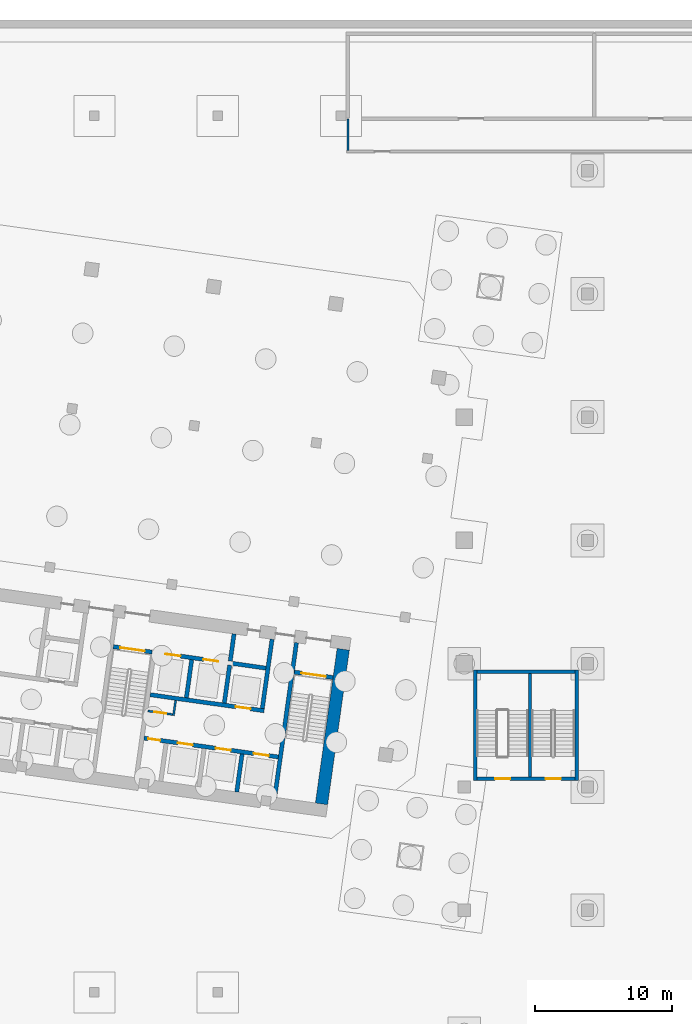
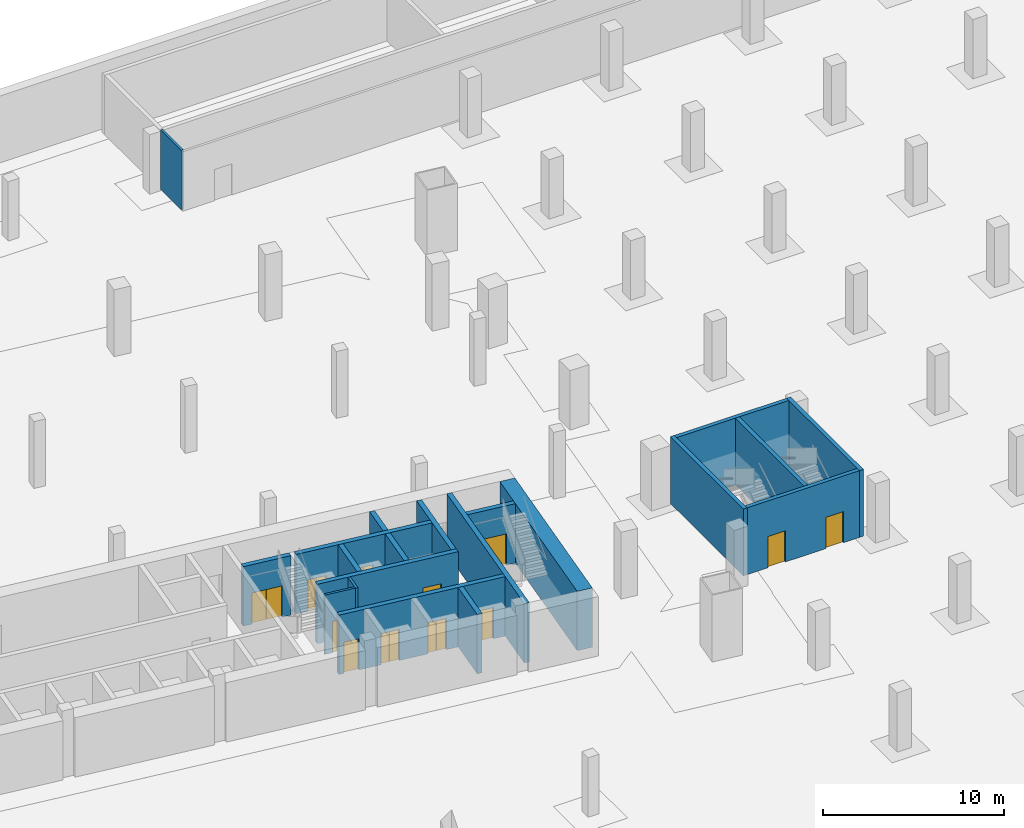
# One storey, part 7 of 19: 20 walls, 12 doors, 12 openings.
"""IFC4 building model written with IfcOpenShell, lengths in metres."""

from ifc_helpers import new_model, si_unit, direction, frame, frame_2d, origin, place, context, subcontext, project, spatial, rectangle, extrude, material, layer, layer_set, type_object, element, fill, save


model = new_model("IFC4")

# Units and contexts
model_context = context("Model", 3, precision=1e-05, world=origin(), true_north=direction((0.0, 1.0)))
body_context = subcontext(model_context, "Body", "Model", "MODEL_VIEW")
ifc_project = project(units=[si_unit("LENGTHUNIT", "METRE"), si_unit("AREAUNIT", "SQUARE_METRE"), si_unit("VOLUMEUNIT", "CUBIC_METRE"), si_unit("PLANEANGLEUNIT", "RADIAN"), si_unit("MASSUNIT", "GRAM", prefix="KILO")], contexts=[model_context])

# Site, building, storey
site_placement = place(None, origin())
site = spatial("IfcSite", under=ifc_project, at=site_placement, CompositionType="ELEMENT")
building_placement = place(site_placement, origin())
building = spatial("IfcBuilding", under=site, at=building_placement, Name="Mirante Cascada Hotel Towers", CompositionType="ELEMENT")
storey_placement = place(building_placement, frame((0.0, 0.0, -9.0)))
storey = spatial("IfcBuildingStorey", under=building, at=storey_placement, Name="B2", CompositionType="ELEMENT", Elevation=-9.0)

# Wall
ifc_material_1 = material(Name="Masonry block", Category="masonry")
ifc_layer_1 = layer(ifc_material_1, 0.15)
ifc_layer_set_1 = layer_set([ifc_layer_1], Name="Basement service corridor wall 150 block EI 60")
wall_type_1 = type_object("IfcWallType", Name="Basement service corridor wall 150 block EI 60", PredefinedType="PARTITIONING", material=ifc_layer_set_1)
wall_1_placement = place(storey_placement, frame((-35.5, 28.475, 0.0), z_axis=(0.0, 0.0, 1.0), x_axis=(0.0, 1.0, 0.0)))
element("IfcWall", 1, at=wall_1_placement, inside=storey, type_object=wall_type_1, Name="Service corridor wall B2", PredefinedType="PARTITIONING", context=body_context, shape_type="SweptSolid", body=[
    extrude(rectangle(XDim=2.295, YDim=0.15, at=frame_2d((1.1475, 0.0))), origin(), (0.0, 0.0, 1.0), 4.0),
])

# Wall, openings, doors
ifc_material_2 = material(Name="Concrete C35/45", Category="concrete")
ifc_layer_2 = layer(ifc_material_2, 0.25)
ifc_layer_set_2 = layer_set([ifc_layer_2], Name="Basement stair wall 250 concrete C35/45 EI 120")
wall_type_2 = type_object("IfcWallType", Name="Basement stair wall 250 concrete C35/45 EI 120", PredefinedType="STANDARD", material=ifc_layer_set_2)
wall_2_placement = place(storey_placement, frame((-26.075, -17.4, 0.0), z_axis=(0.0, 0.0, 1.0), x_axis=(1.0, 0.0, 0.0)))
wall_2 = element("IfcWall", 2, at=wall_2_placement, inside=storey, type_object=wall_type_2, Name="Stair wall B2", PredefinedType="STANDARD", context=body_context, shape_type="SweptSolid", body=[
    extrude(rectangle(XDim=7.15, YDim=0.25, at=frame_2d((3.575, 0.0))), origin(), (0.0, 0.0, 1.0), 4.5),
])
opening_1_placement = place(wall_2_placement, frame((5.025, 0.0, 0.0)))
opening_1 = element("IfcOpeningElement", 3, at=opening_1_placement, cuts=wall_2, Name="Opening DB-2-10", PredefinedType="OPENING", context=body_context, shape_type="SweptSolid", body=[
    extrude(rectangle(XDim=1.1, YDim=2.1, at=frame_2d((0.55, 1.05))), frame((0.0, 0.125, 0.0), z_axis=(0.0, -1.0, 0.0), x_axis=(1.0, 0.0, 0.0)), (0.0, 0.0, 1.0), 0.25),
])
opening_2_placement = place(wall_2_placement, frame((1.325, 0.0, 0.0)))
opening_2 = element("IfcOpeningElement", 4, at=opening_2_placement, cuts=wall_2, Name="Opening DB-2-11", PredefinedType="OPENING", context=body_context, shape_type="SweptSolid", body=[
    extrude(rectangle(XDim=1.1, YDim=2.1, at=frame_2d((0.55, 1.05))), frame((0.0, 0.125, 0.0), z_axis=(0.0, -1.0, 0.0), x_axis=(1.0, 0.0, 0.0)), (0.0, 0.0, 1.0), 0.25),
])
ifc_material_3 = material(Name="Hollow metal fire door leaf")
door_type_1 = type_object("IfcDoorType", Name="Basement fire door 1100x2100 FD60", OperationType="NOTDEFINED", PredefinedType="DOOR", material=ifc_material_3)
door_1_placement = place(opening_1_placement, origin())
door_1 = element("IfcDoor", 5, at=door_1_placement, inside=storey, type_object=door_type_1, Name="Door to exit stair 3 DB-2-10", OperationType="SINGLE_SWING_LEFT", OverallHeight=2.1, OverallWidth=1.1, PredefinedType="DOOR", context=body_context, shape_type="SweptSolid", body=[
    extrude(rectangle(XDim=1.1, YDim=2.1, at=frame_2d((0.55, 1.05))), frame((0.0, 0.025, 0.0), z_axis=(0.0, -1.0, 0.0), x_axis=(1.0, 0.0, 0.0)), (0.0, 0.0, 1.0), 0.05),
])
fill(opening_1, door_1)
door_2_placement = place(opening_2_placement, origin())
door_2 = element("IfcDoor", 6, at=door_2_placement, inside=storey, type_object=door_type_1, Name="Door to exit stair 5 DB-2-11", OperationType="SINGLE_SWING_RIGHT", OverallHeight=2.1, OverallWidth=1.1, PredefinedType="DOOR", context=body_context, shape_type="SweptSolid", body=[
    extrude(rectangle(XDim=1.1, YDim=2.1, at=frame_2d((0.55, 1.05))), frame((0.0, 0.025, 0.0), z_axis=(0.0, -1.0, 0.0), x_axis=(1.0, 0.0, 0.0)), (0.0, 0.0, 1.0), 0.05),
])
fill(opening_2, door_2)

# Walls
wall_3_placement = place(storey_placement, frame((-26.075, -9.6, 0.0), z_axis=(0.0, 0.0, 1.0), x_axis=(1.0, 0.0, 0.0)))
element("IfcWall", 7, at=wall_3_placement, inside=storey, type_object=wall_type_2, Name="Stair wall B2", PredefinedType="STANDARD", context=body_context, shape_type="SweptSolid", body=[
    extrude(rectangle(XDim=7.15, YDim=0.25, at=frame_2d((3.575, 0.0))), origin(), (0.0, 0.0, 1.0), 4.5),
])
for number, where, z_axis, x_axis, name in (
    (8, (-18.8, -17.525, 0.0), (0.0, 0.0, 1.0), (0.0, 1.0, 0.0), "Stair wall B2"),
    (9, (-26.2, -17.525, 0.0), (0.0, 0.0, 1.0), (0.0, 1.0, 0.0), "Stair wall B2"),
):
    element("IfcWall", number, at=place(storey_placement, frame(where, z_axis=z_axis, x_axis=x_axis)), inside=storey, type_object=wall_type_2, Name=name, PredefinedType="STANDARD", context=body_context, shape_type="SweptSolid", body=[
        extrude(rectangle(XDim=8.05, YDim=0.25, at=frame_2d((4.025, 0.0))), origin(), (0.0, 0.0, 1.0), 4.5),
    ])
ifc_material_4 = material(Name="Masonry block", Category="masonry")
ifc_layer_3 = layer(ifc_material_4, 0.15)
ifc_layer_set_3 = layer_set([ifc_layer_3], Name="Core room partition 150 block EI 30")
wall_type_3 = type_object("IfcWallType", Name="Core room partition 150 block EI 30", PredefinedType="PARTITIONING", material=ifc_layer_set_3)
wall_4_placement = place(storey_placement, frame((-48.2295, -12.793, 0.0), z_axis=(0.0, 0.0, 1.0), x_axis=(0.1391935, 0.9902652, 0.0)))
element("IfcWall", 10, at=wall_4_placement, inside=storey, type_object=wall_type_3, Name="Core wall partition T1 B2 2", PredefinedType="PARTITIONING", context=body_context, shape_type="SweptSolid", body=[
    extrude(rectangle(XDim=1.1251, YDim=0.15, at=frame_2d((0.5626, 0.0))), origin(), (0.0, 0.0, 1.0), 4.0),
])

# Wall, opening, door
wall_5_placement = place(storey_placement, frame((-48.2933, -12.7083, 0.0), z_axis=(0.0, 0.0, 1.0), x_axis=(-0.990268, 0.1391734, 0.0)))
wall_5 = element("IfcWall", 11, at=wall_5_placement, inside=storey, type_object=wall_type_3, Name="Core wall partition T1 B2 3", PredefinedType="PARTITIONING", context=body_context, shape_type="SweptSolid", body=[
    extrude(rectangle(XDim=1.8251, YDim=0.15, at=frame_2d((0.9126, 0.0))), origin(), (0.0, 0.0, 1.0), 4.0),
])
opening_3_placement = place(wall_5_placement, frame((0.4625, 0.0, 0.0)))
opening_3 = element("IfcOpeningElement", 12, at=opening_3_placement, cuts=wall_5, Name="Opening D1-B2-C26", PredefinedType="OPENING", context=body_context, shape_type="SweptSolid", body=[
    extrude(rectangle(XDim=0.9, YDim=2.1, at=frame_2d((0.45, 1.05))), frame((0.0, 0.075, 0.0), z_axis=(0.0, -1.0, 0.0), x_axis=(1.0, 0.0, 0.0)), (0.0, 0.0, 1.0), 0.15),
])
ifc_material_5 = material(Name="Hollow metal fire door leaf")
door_type_2 = type_object("IfcDoorType", Name="Fire door 900x2100 FD60", OperationType="NOTDEFINED", PredefinedType="DOOR", material=ifc_material_5)
door_3_placement = place(opening_3_placement, origin())
door_3 = element("IfcDoor", 13, at=door_3_placement, inside=storey, type_object=door_type_2, Name="Riser door T1 B2 26", OperationType="SINGLE_SWING_RIGHT", OverallHeight=2.1, OverallWidth=0.9, PredefinedType="DOOR", context=body_context, shape_type="SweptSolid", body=[
    extrude(rectangle(XDim=0.9, YDim=2.1, at=frame_2d((0.45, 1.05))), frame((0.0, 0.025, 0.0), z_axis=(0.0, -1.0, 0.0), x_axis=(1.0, 0.0, 0.0)), (0.0, 0.0, 1.0), 0.05),
])
fill(opening_3, door_3)

# Walls
ifc_material_6 = material(Name="Masonry block", Category="masonry")
ifc_layer_4 = layer(ifc_material_6, 0.3)
ifc_layer_set_4 = layer_set([ifc_layer_4], Name="Core wall 300 block EI 120")
wall_type_4 = type_object("IfcWallType", Name="Core wall 300 block EI 120", PredefinedType="PARTITIONING", material=ifc_layer_set_4)
wall_6_placement = place(storey_placement, frame((-44.0843, -8.8061, 0.0), z_axis=(0.0, 0.0, 1.0), x_axis=(0.1391951, 0.990265, 0.0)))
element("IfcWall", 14, at=wall_6_placement, inside=storey, type_object=wall_type_4, Name="Core wall partition T1 B2 1", PredefinedType="PARTITIONING", context=body_context, shape_type="SweptSolid", body=[
    extrude(rectangle(XDim=2.0001, YDim=0.3, at=frame_2d((1.0001, 0.0))), origin(), (0.0, 0.0, 1.0), 4.0),
])
ifc_material_7 = material(Name="Concrete C50/60", Category="concrete")
ifc_layer_5 = layer(ifc_material_7, 0.3)
ifc_layer_set_5 = layer_set([ifc_layer_5], Name="RC core wall 300 C50/60")
wall_type_5 = type_object("IfcWallType", Name="RC core wall 300 C50/60", PredefinedType="SHEAR", material=ifc_layer_set_5)
wall_7_placement = place(storey_placement, frame((-40.8373, -18.7548, 0.0), z_axis=(0.0, 0.0, 1.0), x_axis=(0.1391749, 0.9902678, 0.0)))
element("IfcWall", 15, at=wall_7_placement, inside=storey, type_object=wall_type_5, Name="Core wall T1:B2:5", PredefinedType="SHEAR", context=body_context, shape_type="SweptSolid", body=[
    extrude(rectangle(XDim=11.4, YDim=0.3, at=frame_2d((5.7, 0.0))), origin(), (0.0, 0.0, 1.0), 4.0),
])

# Wall, opening, door
wall_8_placement = place(storey_placement, frame((-36.5791, -10.0123, 0.0), z_axis=(0.0, 0.0, 1.0), x_axis=(-0.9902704, 0.1391564, 0.0)))
wall_8 = element("IfcWall", 16, at=wall_8_placement, inside=storey, type_object=wall_type_5, Name="Core wall T1:B2:9", PredefinedType="SHEAR", context=body_context, shape_type="SweptSolid", body=[
    extrude(rectangle(XDim=2.85, YDim=0.3, at=frame_2d((1.425, 0.0))), origin(), (0.0, 0.0, 1.0), 4.0),
])
opening_4_placement = place(wall_8_placement, frame((0.525, 0.0, 0.0)))
opening_4 = element("IfcOpeningElement", 17, at=opening_4_placement, cuts=wall_8, Name="Opening D1-B2-C16", PredefinedType="OPENING", context=body_context, shape_type="SweptSolid", body=[
    extrude(rectangle(XDim=1.8, YDim=2.1, at=frame_2d((0.9, 1.05))), frame((0.0, 0.15, 0.0), z_axis=(0.0, -1.0, 0.0), x_axis=(1.0, 0.0, 0.0)), (0.0, 0.0, 1.0), 0.3),
])
ifc_material_8 = material(Name="Hollow metal fire door leaf")
door_type_3 = type_object("IfcDoorType", Name="Double fire door 1800x2100 FD60", OperationType="DOUBLE_DOOR_SINGLE_SWING", PredefinedType="DOOR", material=ifc_material_8)
door_4_placement = place(opening_4_placement, origin())
door_4 = element("IfcDoor", 18, at=door_4_placement, inside=storey, type_object=door_type_3, Name="Stair door T1 B2 16", OperationType="DOUBLE_DOOR_SINGLE_SWING", OverallHeight=2.1, OverallWidth=1.8, PredefinedType="DOOR", context=body_context, shape_type="SweptSolid", body=[
    extrude(rectangle(XDim=0.895, YDim=2.1, at=frame_2d((0.4475, 1.05))), frame((0.0, 0.025, 0.0), z_axis=(0.0, -1.0, 0.0), x_axis=(1.0, 0.0, 0.0)), (0.0, 0.0, 1.0), 0.05),
    extrude(rectangle(XDim=0.895, YDim=2.1, at=frame_2d((1.3525, 1.05))), frame((0.0, 0.025, 0.0), z_axis=(0.0, -1.0, 0.0), x_axis=(1.0, 0.0, 0.0)), (0.0, 0.0, 1.0), 0.05),
])
fill(opening_4, door_4)

wall_9_placement = place(storey_placement, frame((-49.7992, -8.1544, 0.0), z_axis=(0.0, 0.0, 1.0), x_axis=(-0.9902656, 0.1391909, 0.0)))
wall_9 = element("IfcWall", 19, at=wall_9_placement, inside=storey, type_object=wall_type_5, Name="Core wall T1:B2:10", PredefinedType="SHEAR", context=body_context, shape_type="SweptSolid", body=[
    extrude(rectangle(XDim=2.85, YDim=0.3, at=frame_2d((1.425, 0.0))), origin(), (0.0, 0.0, 1.0), 4.0),
])
opening_5_placement = place(wall_9_placement, frame((0.525, 0.0, 0.0)))
opening_5 = element("IfcOpeningElement", 20, at=opening_5_placement, cuts=wall_9, Name="Opening D1-B2-C18", PredefinedType="OPENING", context=body_context, shape_type="SweptSolid", body=[
    extrude(rectangle(XDim=1.8, YDim=2.1, at=frame_2d((0.9, 1.05))), frame((0.0, 0.15, 0.0), z_axis=(0.0, -1.0, 0.0), x_axis=(1.0, 0.0, 0.0)), (0.0, 0.0, 1.0), 0.3),
])
door_5_placement = place(opening_5_placement, origin())
door_5 = element("IfcDoor", 21, at=door_5_placement, inside=storey, type_object=door_type_3, Name="Stair door T1 B2 18", OperationType="DOUBLE_DOOR_SINGLE_SWING", OverallHeight=2.1, OverallWidth=1.8, PredefinedType="DOOR", context=body_context, shape_type="SweptSolid", body=[
    extrude(rectangle(XDim=0.895, YDim=2.1, at=frame_2d((0.4475, 1.05))), frame((0.0, 0.025, 0.0), z_axis=(0.0, -1.0, 0.0), x_axis=(1.0, 0.0, 0.0)), (0.0, 0.0, 1.0), 0.05),
    extrude(rectangle(XDim=0.895, YDim=2.1, at=frame_2d((1.3525, 1.05))), frame((0.0, 0.025, 0.0), z_axis=(0.0, -1.0, 0.0), x_axis=(1.0, 0.0, 0.0)), (0.0, 0.0, 1.0), 0.05),
])
fill(opening_5, door_5)

# Wall, openings, doors
wall_10_placement = place(storey_placement, frame((-40.5753, -15.8126, 0.0), z_axis=(0.0, 0.0, 1.0), x_axis=(-0.9902682, 0.1391725, 0.0)))
wall_10 = element("IfcWall", 22, at=wall_10_placement, inside=storey, type_object=wall_type_5, Name="Core wall T1:B2:12", PredefinedType="SHEAR", context=body_context, shape_type="SweptSolid", body=[
    extrude(rectangle(XDim=9.8999, YDim=0.3, at=frame_2d((4.95, 0.0))), origin(), (0.0, 0.0, 1.0), 4.0),
])
opening_6_placement = place(wall_10_placement, frame((0.7, 0.0, 0.0)))
opening_6 = element("IfcOpeningElement", 23, at=opening_6_placement, cuts=wall_10, Name="Opening LD", PredefinedType="OPENING", context=body_context, shape_type="SweptSolid", body=[
    extrude(rectangle(XDim=1.1, YDim=2.1, at=frame_2d((0.55, 1.05))), frame((0.0, 0.15, 0.0), z_axis=(0.0, -1.0, 0.0), x_axis=(1.0, 0.0, 0.0)), (0.0, 0.0, 1.0), 0.3),
])
opening_7_placement = place(wall_10_placement, frame((3.5, 0.0, 0.0)))
opening_7 = element("IfcOpeningElement", 24, at=opening_7_placement, cuts=wall_10, Name="Opening LD", PredefinedType="OPENING", context=body_context, shape_type="SweptSolid", body=[
    extrude(rectangle(XDim=1.1, YDim=2.1, at=frame_2d((0.55, 1.05))), frame((0.0, 0.15, 0.0), z_axis=(0.0, -1.0, 0.0), x_axis=(1.0, 0.0, 0.0)), (0.0, 0.0, 1.0), 0.3),
])
opening_8_placement = place(wall_10_placement, frame((6.3, 0.0, 0.0)))
opening_8 = element("IfcOpeningElement", 25, at=opening_8_placement, cuts=wall_10, Name="Opening LD", PredefinedType="OPENING", context=body_context, shape_type="SweptSolid", body=[
    extrude(rectangle(XDim=1.1, YDim=2.1, at=frame_2d((0.55, 1.05))), frame((0.0, 0.15, 0.0), z_axis=(0.0, -1.0, 0.0), x_axis=(1.0, 0.0, 0.0)), (0.0, 0.0, 1.0), 0.3),
])
opening_9_placement = place(wall_10_placement, frame((8.7, 0.0, 0.0)))
opening_9 = element("IfcOpeningElement", 26, at=opening_9_placement, cuts=wall_10, Name="Opening D1-B2-C25", PredefinedType="OPENING", context=body_context, shape_type="SweptSolid", body=[
    extrude(rectangle(XDim=0.9, YDim=2.1, at=frame_2d((0.45, 1.05))), frame((0.0, 0.15, 0.0), z_axis=(0.0, -1.0, 0.0), x_axis=(1.0, 0.0, 0.0)), (0.0, 0.0, 1.0), 0.3),
])
door_6_placement = place(opening_9_placement, origin())
door_6 = element("IfcDoor", 27, at=door_6_placement, inside=storey, type_object=door_type_2, Name="Riser door T1 B2 25", OperationType="SINGLE_SWING_LEFT", OverallHeight=2.1, OverallWidth=0.9, PredefinedType="DOOR", context=body_context, shape_type="SweptSolid", body=[
    extrude(rectangle(XDim=0.9, YDim=2.1, at=frame_2d((0.45, 1.05))), frame((0.0, 0.025, 0.0), z_axis=(0.0, -1.0, 0.0), x_axis=(1.0, 0.0, 0.0)), (0.0, 0.0, 1.0), 0.05),
])
fill(opening_9, door_6)
ifc_material_9 = material(Name="Stainless steel", Category="steel")
door_type_4 = type_object("IfcDoorType", Name="Lift landing door 1100x2100 EI 120", OperationType="DOUBLE_DOOR_SLIDING", PredefinedType="DOOR", material=ifc_material_9)
door_7_placement = place(opening_6_placement, origin())
door_7 = element("IfcDoor", 28, at=door_7_placement, inside=storey, type_object=door_type_4, Name="Lift landing door HR1-1 B2", OperationType="DOUBLE_DOOR_SLIDING", OverallHeight=2.1, OverallWidth=1.1, PredefinedType="DOOR", context=body_context, shape_type="SweptSolid", body=[
    extrude(rectangle(XDim=0.545, YDim=2.1, at=frame_2d((0.2725, 1.05))), frame((0.0, 0.025, 0.0), z_axis=(0.0, -1.0, 0.0), x_axis=(1.0, 0.0, 0.0)), (0.0, 0.0, 1.0), 0.05),
    extrude(rectangle(XDim=0.545, YDim=2.1, at=frame_2d((0.8275, 1.05))), frame((0.0, 0.025, 0.0), z_axis=(0.0, -1.0, 0.0), x_axis=(1.0, 0.0, 0.0)), (0.0, 0.0, 1.0), 0.05),
])
fill(opening_6, door_7)
door_8_placement = place(opening_7_placement, origin())
door_8 = element("IfcDoor", 29, at=door_8_placement, inside=storey, type_object=door_type_4, Name="Lift landing door HR1-2 B2", OperationType="DOUBLE_DOOR_SLIDING", OverallHeight=2.1, OverallWidth=1.1, PredefinedType="DOOR", context=body_context, shape_type="SweptSolid", body=[
    extrude(rectangle(XDim=0.545, YDim=2.1, at=frame_2d((0.2725, 1.05))), frame((0.0, 0.025, 0.0), z_axis=(0.0, -1.0, 0.0), x_axis=(1.0, 0.0, 0.0)), (0.0, 0.0, 1.0), 0.05),
    extrude(rectangle(XDim=0.545, YDim=2.1, at=frame_2d((0.8275, 1.05))), frame((0.0, 0.025, 0.0), z_axis=(0.0, -1.0, 0.0), x_axis=(1.0, 0.0, 0.0)), (0.0, 0.0, 1.0), 0.05),
])
fill(opening_7, door_8)
door_9_placement = place(opening_8_placement, origin())
door_9 = element("IfcDoor", 30, at=door_9_placement, inside=storey, type_object=door_type_4, Name="Lift landing door HR1-3 B2", OperationType="DOUBLE_DOOR_SLIDING", OverallHeight=2.1, OverallWidth=1.1, PredefinedType="DOOR", context=body_context, shape_type="SweptSolid", body=[
    extrude(rectangle(XDim=0.545, YDim=2.1, at=frame_2d((0.2725, 1.05))), frame((0.0, 0.025, 0.0), z_axis=(0.0, -1.0, 0.0), x_axis=(1.0, 0.0, 0.0)), (0.0, 0.0, 1.0), 0.05),
    extrude(rectangle(XDim=0.545, YDim=2.1, at=frame_2d((0.8275, 1.05))), frame((0.0, 0.025, 0.0), z_axis=(0.0, -1.0, 0.0), x_axis=(1.0, 0.0, 0.0)), (0.0, 0.0, 1.0), 0.05),
])
fill(opening_8, door_9)

# Wall, opening, door
wall_11_placement = place(storey_placement, frame((-41.6153, -12.435, 0.0), z_axis=(0.0, 0.0, 1.0), x_axis=(-0.9902691, 0.139166, 0.0)))
wall_11 = element("IfcWall", 31, at=wall_11_placement, inside=storey, type_object=wall_type_5, Name="Core wall T1:B2:13", PredefinedType="SHEAR", context=body_context, shape_type="SweptSolid", body=[
    extrude(rectangle(XDim=8.4, YDim=0.3, at=frame_2d((4.2, 0.0))), origin(), (0.0, 0.0, 1.0), 4.0),
])
opening_10_placement = place(wall_11_placement, frame((1.0, 0.0, 0.0)))
opening_10 = element("IfcOpeningElement", 32, at=opening_10_placement, cuts=wall_11, Name="Opening LD", PredefinedType="OPENING", context=body_context, shape_type="SweptSolid", body=[
    extrude(rectangle(XDim=1.1, YDim=2.1, at=frame_2d((0.55, 1.05))), frame((0.0, 0.15, 0.0), z_axis=(0.0, -1.0, 0.0), x_axis=(1.0, 0.0, 0.0)), (0.0, 0.0, 1.0), 0.3),
])
door_10_placement = place(opening_10_placement, origin())
door_10 = element("IfcDoor", 33, at=door_10_placement, inside=storey, type_object=door_type_4, Name="Lift landing door HR1-4 B2", OperationType="DOUBLE_DOOR_SLIDING", OverallHeight=2.1, OverallWidth=1.1, PredefinedType="DOOR", context=body_context, shape_type="SweptSolid", body=[
    extrude(rectangle(XDim=0.545, YDim=2.1, at=frame_2d((0.2725, 1.05))), frame((0.0, 0.025, 0.0), z_axis=(0.0, -1.0, 0.0), x_axis=(1.0, 0.0, 0.0)), (0.0, 0.0, 1.0), 0.05),
    extrude(rectangle(XDim=0.545, YDim=2.1, at=frame_2d((0.8275, 1.05))), frame((0.0, 0.025, 0.0), z_axis=(0.0, -1.0, 0.0), x_axis=(1.0, 0.0, 0.0)), (0.0, 0.0, 1.0), 0.05),
])
fill(opening_10, door_10)

# Wall, openings, doors
wall_12_placement = place(storey_placement, frame((-41.481, -9.3234, 0.0), z_axis=(0.0, 0.0, 1.0), x_axis=(-0.9902679, 0.1391741, 0.0)))
wall_12 = element("IfcWall", 34, at=wall_12_placement, inside=storey, type_object=wall_type_5, Name="Core wall T1:B2:14", PredefinedType="SHEAR", context=body_context, shape_type="SweptSolid", body=[
    extrude(rectangle(XDim=8.0999, YDim=0.3, at=frame_2d((4.05, 0.0))), origin(), (0.0, 0.0, 1.0), 4.0),
])
opening_11_placement = place(wall_12_placement, frame((3.5, 0.0, 0.0)))
opening_11 = element("IfcOpeningElement", 35, at=opening_11_placement, cuts=wall_12, Name="Opening LD", PredefinedType="OPENING", context=body_context, shape_type="SweptSolid", body=[
    extrude(rectangle(XDim=1.1, YDim=2.1, at=frame_2d((0.55, 1.05))), frame((0.0, 0.15, 0.0), z_axis=(0.0, -1.0, 0.0), x_axis=(1.0, 0.0, 0.0)), (0.0, 0.0, 1.0), 0.3),
])
opening_12_placement = place(wall_12_placement, frame((6.3, 0.0, 0.0)))
opening_12 = element("IfcOpeningElement", 36, at=opening_12_placement, cuts=wall_12, Name="Opening LD", PredefinedType="OPENING", context=body_context, shape_type="SweptSolid", body=[
    extrude(rectangle(XDim=1.1, YDim=2.1, at=frame_2d((0.55, 1.05))), frame((0.0, 0.15, 0.0), z_axis=(0.0, -1.0, 0.0), x_axis=(1.0, 0.0, 0.0)), (0.0, 0.0, 1.0), 0.3),
])
door_11_placement = place(opening_11_placement, origin())
door_11 = element("IfcDoor", 37, at=door_11_placement, inside=storey, type_object=door_type_4, Name="Lift landing door FF1 B2", OperationType="DOUBLE_DOOR_SLIDING", OverallHeight=2.1, OverallWidth=1.1, PredefinedType="DOOR", context=body_context, shape_type="SweptSolid", body=[
    extrude(rectangle(XDim=0.545, YDim=2.1, at=frame_2d((0.2725, 1.05))), frame((0.0, 0.025, 0.0), z_axis=(0.0, -1.0, 0.0), x_axis=(1.0, 0.0, 0.0)), (0.0, 0.0, 1.0), 0.05),
    extrude(rectangle(XDim=0.545, YDim=2.1, at=frame_2d((0.8275, 1.05))), frame((0.0, 0.025, 0.0), z_axis=(0.0, -1.0, 0.0), x_axis=(1.0, 0.0, 0.0)), (0.0, 0.0, 1.0), 0.05),
])
fill(opening_11, door_11)
door_12_placement = place(opening_12_placement, origin())
door_12 = element("IfcDoor", 38, at=door_12_placement, inside=storey, type_object=door_type_4, Name="Lift landing door FF2 B2", OperationType="DOUBLE_DOOR_SLIDING", OverallHeight=2.1, OverallWidth=1.1, PredefinedType="DOOR", context=body_context, shape_type="SweptSolid", body=[
    extrude(rectangle(XDim=0.545, YDim=2.1, at=frame_2d((0.2725, 1.05))), frame((0.0, 0.025, 0.0), z_axis=(0.0, -1.0, 0.0), x_axis=(1.0, 0.0, 0.0)), (0.0, 0.0, 1.0), 0.05),
    extrude(rectangle(XDim=0.545, YDim=2.1, at=frame_2d((0.8275, 1.05))), frame((0.0, 0.025, 0.0), z_axis=(0.0, -1.0, 0.0), x_axis=(1.0, 0.0, 0.0)), (0.0, 0.0, 1.0), 0.05),
])
fill(opening_12, door_12)

# Walls
wall_13_placement = place(storey_placement, frame((-43.61, -18.3651, 0.0), z_axis=(0.0, 0.0, 1.0), x_axis=(0.1391459, 0.9902719, 0.0)))
element("IfcWall", 39, at=wall_13_placement, inside=storey, type_object=wall_type_5, Name="Core wall T1:B2:15", PredefinedType="SHEAR", context=body_context, shape_type="SweptSolid", body=[
    extrude(rectangle(XDim=2.7999, YDim=0.3, at=frame_2d((1.4, 0.0))), origin(), (0.0, 0.0, 1.0), 4.0),
])
for number, where, z_axis, x_axis, name in (
    (40, (-44.5157, -11.8759, 0.0), (0.0, 0.0, 1.0), (0.139181, 0.990267, 0.0), "Core wall T1:B2:18"),
    (41, (-47.2885, -11.4862, 0.0), (0.0, 0.0, 1.0), (0.139181, 0.990267, 0.0), "Core wall T1:B2:19"),
):
    element("IfcWall", number, at=place(storey_placement, frame(where, z_axis=z_axis, x_axis=x_axis)), inside=storey, type_object=wall_type_5, Name=name, PredefinedType="SHEAR", context=body_context, shape_type="SweptSolid", body=[
        extrude(rectangle(XDim=2.8, YDim=0.3, at=frame_2d((1.4, 0.0))), origin(), (0.0, 0.0, 1.0), 4.0),
    ])
wall_14_placement = place(storey_placement, frame((-41.743, -12.2656, 0.0), z_axis=(0.0, 0.0, 1.0), x_axis=(0.1391755, 0.9902677, 0.0)))
element("IfcWall", 42, at=wall_14_placement, inside=storey, type_object=wall_type_5, Name="Core wall T1:B2:20", PredefinedType="SHEAR", context=body_context, shape_type="SweptSolid", body=[
    extrude(rectangle(XDim=5.1, YDim=0.3, at=frame_2d((2.55, 0.0))), origin(), (0.0, 0.0, 1.0), 4.0),
])
ifc_material_10 = material(Name="Concrete C50/60", Category="concrete")
ifc_layer_6 = layer(ifc_material_10, 0.9)
ifc_layer_set_6 = layer_set([ifc_layer_6], Name="RC core wall 900 C50/60")
wall_type_6 = type_object("IfcWallType", Name="RC core wall 900 C50/60", PredefinedType="SHEAR", material=ifc_layer_set_6)
wall_15_placement = place(storey_placement, frame((-37.4209, -19.2349, 0.0), z_axis=(0.0, 0.0, 1.0), x_axis=(0.1391761, 0.9902677, 0.0)))
element("IfcWall", 43, at=wall_15_placement, inside=storey, type_object=wall_type_6, Name="Core wall T1:B2:3", PredefinedType="SHEAR", context=body_context, shape_type="SweptSolid", body=[
    extrude(rectangle(XDim=11.3999, YDim=0.9, at=frame_2d((5.7, 0.0))), origin(), (0.0, 0.0, 1.0), 4.0),
])
ifc_material_11 = material(Name="Concrete C35/45", Category="concrete")
ifc_layer_7 = layer(ifc_material_11, 0.25)
ifc_layer_set_7 = layer_set([ifc_layer_7], Name="Stair wall 250 concrete C35/45 EI 120")
wall_type_7 = type_object("IfcWallType", Name="Stair wall 250 concrete C35/45 EI 120", PredefinedType="STANDARD", material=ifc_layer_set_7)
wall_16_placement = place(storey_placement, frame((-22.2, -17.275, 0.0), z_axis=(0.0, 0.0, 1.0), x_axis=(0.0, 1.0, 0.0)))
element("IfcWall", 44, at=wall_16_placement, inside=storey, type_object=wall_type_7, Name="Stair wall P B2", PredefinedType="STANDARD", context=body_context, shape_type="SweptSolid", body=[
    extrude(rectangle(XDim=7.55, YDim=0.25, at=frame_2d((3.775, 0.0))), origin(), (0.0, 0.0, 1.0), 4.5),
])

save(model, "model.ifc")
